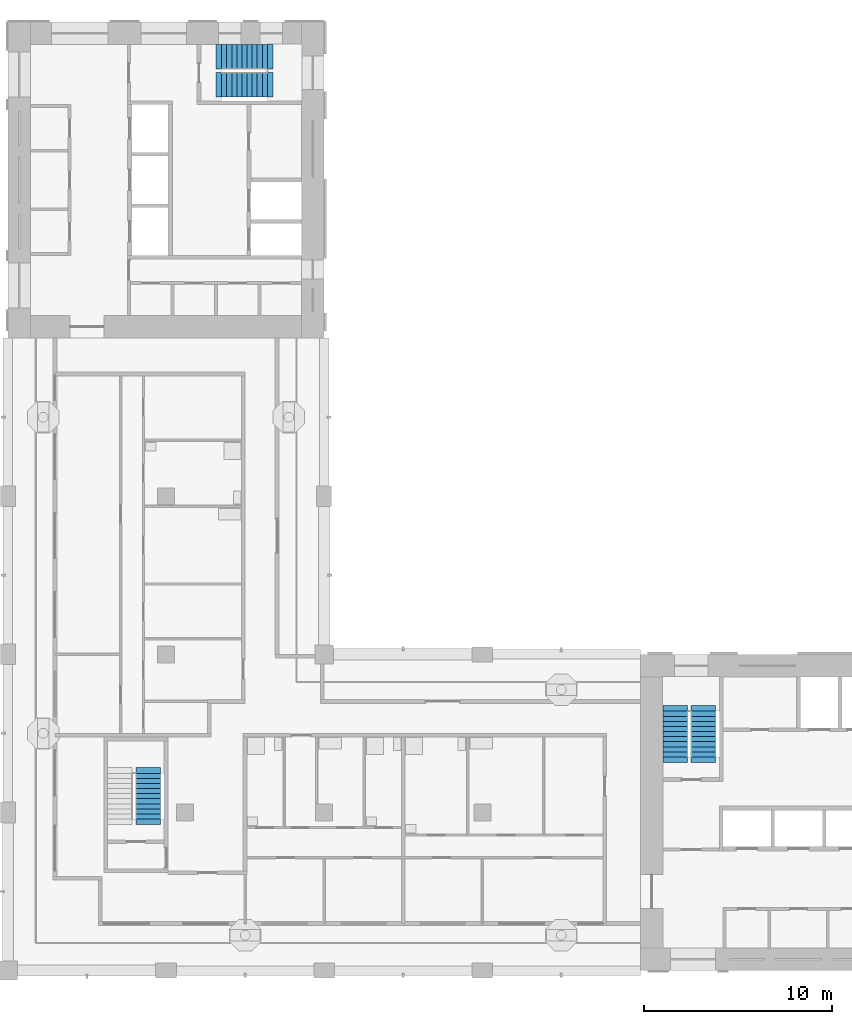
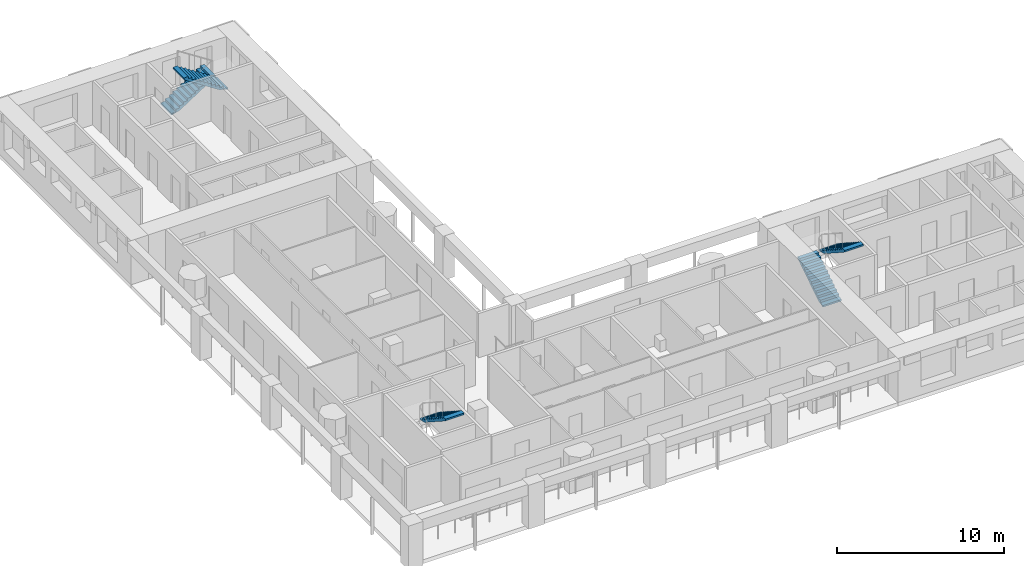
# One storey, part 7 of 12: 5 stair flights, 3 elements without a shape of their own.
"""IFC4 building model written with IfcOpenShell, lengths in metres."""

from ifc_helpers import new_model, si_unit, direction, frame, origin, place, context, subcontext, project, spatial, polyline, outline, extrude, material, type_object, element, aggregate, save


model = new_model("IFC4")

# Units and contexts
model_context = context("Model", 3, precision=1e-05, world=origin(), true_north=direction((0.0, 1.0)))
body_context = subcontext(model_context, "Body", "Model", "MODEL_VIEW")
ifc_project = project(units=[si_unit("LENGTHUNIT", "METRE"), si_unit("AREAUNIT", "SQUARE_METRE"), si_unit("VOLUMEUNIT", "CUBIC_METRE"), si_unit("PLANEANGLEUNIT", "RADIAN"), si_unit("MASSUNIT", "GRAM", prefix="KILO")], contexts=[model_context])

# Site, building, storey
site_placement = place(None, origin())
site = spatial("IfcSite", under=ifc_project, at=site_placement, CompositionType="ELEMENT")
building_placement = place(site_placement, origin())
building = spatial("IfcBuilding", under=site, at=building_placement, Name="Vermilion Gate Residences", CompositionType="ELEMENT")
storey_placement = place(building_placement, frame((0.0, 0.0, 235.199951171875)))
storey = spatial("IfcBuildingStorey", under=building, at=storey_placement, Name="L61", CompositionType="ELEMENT", Elevation=235.199951171875)

# Stair, stair flights
ifc_material_1 = material(Name="Concrete C50", Category="concrete")
stair_type = type_object("IfcStairType", Name="SPECIAL ESCAPE STAIR 1300", PredefinedType="HALF_TURN_STAIR", material=ifc_material_1)
stair_1_placement = place(storey_placement, origin())
stair_1 = element("IfcStair", 1, at=stair_1_placement, inside=storey, type_object=stair_type, Name="Special escape stair STA1-61", PredefinedType="HALF_TURN_STAIR")
ifc_material_2 = material(Name="Concrete C50", Category="concrete")
stair_flight_type = type_object("IfcStairFlightType", Name="STAIR FLIGHT 1300 RC C50", PredefinedType="STRAIGHT", material=ifc_material_2)
stair_flight_1_placement = place(storey_placement, frame((43.85009765625, 19.75, 0.0), z_axis=(0.0, 0.0, 1.0), x_axis=(0.0, 1.0, 0.0)))
stair_flight_1 = element("IfcStairFlight", 2, at=stair_flight_1_placement, type_object=stair_flight_type, Name="STA1-61 flight 1", NumberOfRisers=10, NumberOfTreads=9, PredefinedType="STRAIGHT", RiserHeight=0.175, TreadLength=0.27, context=body_context, shape_type="SweptSolid", body=[
    extrude(outline(polyline([(-0.300048828125, -0.14990234375), (-0.300048828125, -0.030029296875), (0.0, 0.0), (0.0, 0.175048828125), (0.27001953125, 0.175048828125), (0.27001953125, 0.35009765625), (0.5400390625, 0.35009765625), (0.5400390625, 0.52490234375), (0.81005859375, 0.52490234375), (0.81005859375, 0.699951171875), (1.080078125, 0.699951171875), (1.080078125, 0.875), (1.35009765625, 0.875), (1.35009765625, 1.050048828125), (1.6201171875, 1.050048828125), (1.6201171875, 1.22509765625), (1.889892578125, 1.22509765625), (1.889892578125, 1.39990234375), (2.159912109375, 1.39990234375), (2.159912109375, 1.574951171875), (2.429931640625, 1.574951171875), (2.429931640625, 1.75), (2.72998046875, 1.719970703125), (2.72998046875, 1.60009765625), (2.429931640625, 1.396484375), (0.275634765625, 0.0), (-0.300048828125, -0.14990234375)])), frame((0.0, 0.64990234375, 0.0), z_axis=(0.0, -1.0, 0.0), x_axis=(1.0, 0.0, 0.0)), (0.0, 0.0, 1.0), 1.300048828125),
])
stair_flight_2_placement = place(storey_placement, frame((45.35009765625, 22.179931640625, 1.75), z_axis=(0.0, 0.0, 1.0), x_axis=(0.0, -1.0, 0.0)))
stair_flight_2 = element("IfcStairFlight", 3, at=stair_flight_2_placement, type_object=stair_flight_type, Name="STA1-61 flight 2", NumberOfRisers=10, NumberOfTreads=9, PredefinedType="STRAIGHT", RiserHeight=0.175, TreadLength=0.27, context=body_context, shape_type="SweptSolid", body=[
    extrude(outline(polyline([(-0.300048828125, -0.14990234375), (-0.300048828125, -0.030029296875), (0.0, 0.0), (0.0, 0.175048828125), (0.27001953125, 0.175048828125), (0.27001953125, 0.35009765625), (0.5400390625, 0.35009765625), (0.5400390625, 0.52490234375), (0.81005859375, 0.52490234375), (0.81005859375, 0.699951171875), (1.080078125, 0.699951171875), (1.080078125, 0.875), (1.35009765625, 0.875), (1.35009765625, 1.050048828125), (1.6201171875, 1.050048828125), (1.6201171875, 1.22509765625), (1.889892578125, 1.22509765625), (1.889892578125, 1.39990234375), (2.159912109375, 1.39990234375), (2.159912109375, 1.574951171875), (2.429931640625, 1.574951171875), (2.429931640625, 1.75), (2.72998046875, 1.719970703125), (2.72998046875, 1.60009765625), (2.429931640625, 1.396484375), (0.275634765625, 0.0), (-0.300048828125, -0.14990234375)])), frame((0.0, 0.64990234375, 0.0), z_axis=(0.0, -1.0, 0.0), x_axis=(1.0, 0.0, 0.0)), (0.0, 0.0, 1.0), 1.300048828125),
])
aggregate(stair_1, [stair_flight_1, stair_flight_2])

stair_2_placement = place(storey_placement, origin())
stair_2 = element("IfcStair", 4, at=stair_2_placement, inside=storey, type_object=stair_type, Name="Special escape stair STB1-61", PredefinedType="HALF_TURN_STAIR")
stair_flight_3_placement = place(storey_placement, frame((19.75, 56.949951171875, 0.0), z_axis=(0.0, 0.0, 1.0), x_axis=(1.0, 0.0, 0.0)))
stair_flight_3 = element("IfcStairFlight", 5, at=stair_flight_3_placement, type_object=stair_flight_type, Name="STB1-61 flight 1", NumberOfRisers=10, NumberOfTreads=9, PredefinedType="STRAIGHT", RiserHeight=0.175, TreadLength=0.27, context=body_context, shape_type="SweptSolid", body=[
    extrude(outline(polyline([(-0.300048828125, -0.14990234375), (-0.300048828125, -0.030029296875), (0.0, 0.0), (0.0, 0.175048828125), (0.27001953125, 0.175048828125), (0.27001953125, 0.35009765625), (0.5400390625, 0.35009765625), (0.5400390625, 0.52490234375), (0.81005859375, 0.52490234375), (0.81005859375, 0.699951171875), (1.080078125, 0.699951171875), (1.080078125, 0.875), (1.35009765625, 0.875), (1.35009765625, 1.050048828125), (1.6201171875, 1.050048828125), (1.6201171875, 1.22509765625), (1.889892578125, 1.22509765625), (1.889892578125, 1.39990234375), (2.159912109375, 1.39990234375), (2.159912109375, 1.574951171875), (2.429931640625, 1.574951171875), (2.429931640625, 1.75), (2.72998046875, 1.719970703125), (2.72998046875, 1.60009765625), (2.429931640625, 1.396484375), (0.275634765625, 0.0), (-0.300048828125, -0.14990234375)])), frame((0.0, 0.64990234375, 0.0), z_axis=(0.0, -1.0, 0.0), x_axis=(1.0, 0.0, 0.0)), (0.0, 0.0, 1.0), 1.300048828125),
])
stair_flight_4_placement = place(storey_placement, frame((22.179931640625, 55.449951171875, 1.75), z_axis=(0.0, 0.0, 1.0), x_axis=(-1.0, 0.0, 0.0)))
stair_flight_4 = element("IfcStairFlight", 6, at=stair_flight_4_placement, type_object=stair_flight_type, Name="STB1-61 flight 2", NumberOfRisers=10, NumberOfTreads=9, PredefinedType="STRAIGHT", RiserHeight=0.175, TreadLength=0.27, context=body_context, shape_type="SweptSolid", body=[
    extrude(outline(polyline([(-0.300048828125, -0.14990234375), (-0.300048828125, -0.030029296875), (0.0, 0.0), (0.0, 0.175048828125), (0.27001953125, 0.175048828125), (0.27001953125, 0.35009765625), (0.5400390625, 0.35009765625), (0.5400390625, 0.52490234375), (0.81005859375, 0.52490234375), (0.81005859375, 0.699951171875), (1.080078125, 0.699951171875), (1.080078125, 0.875), (1.35009765625, 0.875), (1.35009765625, 1.050048828125), (1.6201171875, 1.050048828125), (1.6201171875, 1.22509765625), (1.889892578125, 1.22509765625), (1.889892578125, 1.39990234375), (2.159912109375, 1.39990234375), (2.159912109375, 1.574951171875), (2.429931640625, 1.574951171875), (2.429931640625, 1.75), (2.72998046875, 1.719970703125), (2.72998046875, 1.60009765625), (2.429931640625, 1.396484375), (0.275634765625, 0.0), (-0.300048828125, -0.14990234375)])), frame((0.0, 0.64990234375, 0.0), z_axis=(0.0, -1.0, 0.0), x_axis=(1.0, 0.0, 0.0)), (0.0, 0.0, 1.0), 1.300048828125),
])
aggregate(stair_2, [stair_flight_3, stair_flight_4])

# Stair, stair flight
stair_3_placement = place(storey_placement, origin())
stair_3 = element("IfcStair", 7, at=stair_3_placement, inside=storey, type_object=stair_type, Name="Special escape stair STC1-61", PredefinedType="HALF_TURN_STAIR")
stair_flight_5_placement = place(storey_placement, frame((15.85009765625, 18.8798828125, 1.75), z_axis=(0.0, 0.0, 1.0), x_axis=(0.0, -1.0, 0.0)))
stair_flight_5 = element("IfcStairFlight", 8, at=stair_flight_5_placement, type_object=stair_flight_type, Name="STC1-61 flight 2", NumberOfRisers=10, NumberOfTreads=9, PredefinedType="STRAIGHT", RiserHeight=0.175, TreadLength=0.27, context=body_context, shape_type="SweptSolid", body=[
    extrude(outline(polyline([(-0.300048828125, -0.14990234375), (-0.300048828125, -0.030029296875), (0.0, 0.0), (0.0, 0.175048828125), (0.27001953125, 0.175048828125), (0.27001953125, 0.35009765625), (0.5400390625, 0.35009765625), (0.5400390625, 0.52490234375), (0.81005859375, 0.52490234375), (0.81005859375, 0.699951171875), (1.080078125, 0.699951171875), (1.080078125, 0.875), (1.35009765625, 0.875), (1.35009765625, 1.050048828125), (1.6201171875, 1.050048828125), (1.6201171875, 1.22509765625), (1.889892578125, 1.22509765625), (1.889892578125, 1.39990234375), (2.159912109375, 1.39990234375), (2.159912109375, 1.574951171875), (2.429931640625, 1.574951171875), (2.429931640625, 1.75), (2.72998046875, 1.719970703125), (2.72998046875, 1.60009765625), (2.429931640625, 1.396484375), (0.275634765625, 0.0), (-0.300048828125, -0.14990234375)])), frame((0.0, 0.64990234375, 0.0), z_axis=(0.0, -1.0, 0.0), x_axis=(1.0, 0.0, 0.0)), (0.0, 0.0, 1.0), 1.300048828125),
])
aggregate(stair_3, [stair_flight_5])

save(model, "model.ifc")
